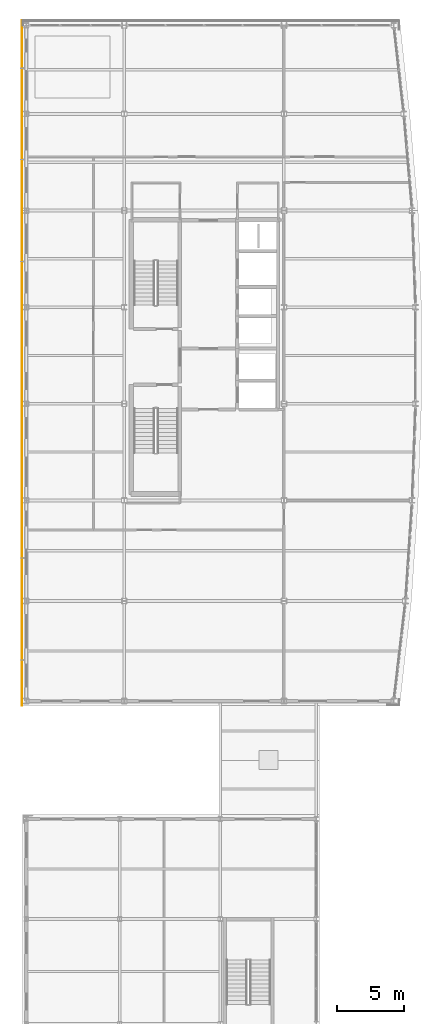
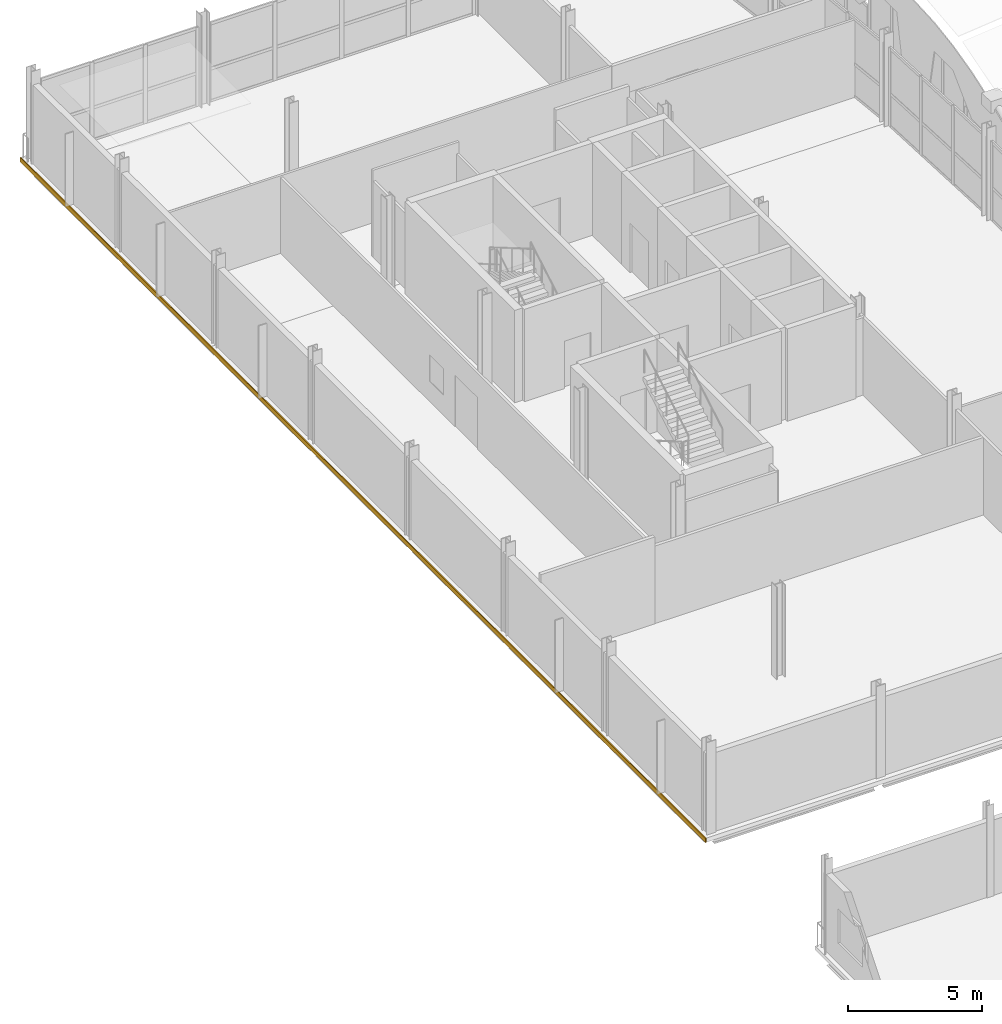
# One storey, part 60 of 65: 1 covering.
"""IFC4 building model written with IfcOpenShell, lengths in metres."""

from ifc_helpers import new_model, si_unit, direction, frame, origin, place, context, subcontext, project, spatial, polyline, outline, extrude, material, layer, layer_set, type_object, element, save


model = new_model("IFC4")

# Units and contexts
model_context = context("Model", 3, precision=1e-05, world=origin(), true_north=direction((0.0, 1.0)))
body_context = subcontext(model_context, "Body", "Model", "MODEL_VIEW")
ifc_project = project(units=[si_unit("LENGTHUNIT", "METRE"), si_unit("AREAUNIT", "SQUARE_METRE"), si_unit("VOLUMEUNIT", "CUBIC_METRE"), si_unit("PLANEANGLEUNIT", "RADIAN"), si_unit("MASSUNIT", "GRAM", prefix="KILO")], contexts=[model_context])

# Site, building, storey
site_placement = place(None, origin())
site = spatial("IfcSite", under=ifc_project, at=site_placement, CompositionType="ELEMENT")
building_placement = place(site_placement, origin())
building = spatial("IfcBuilding", under=site, at=building_placement, Name="Quillay Park Conservatory", CompositionType="ELEMENT")
storey_placement = place(building_placement, frame((0.0, 0.0, 14.10009765625)))
storey = spatial("IfcBuildingStorey", under=building, at=storey_placement, Name="L03", CompositionType="ELEMENT", Elevation=14.10009765625)

# Covering
ifc_material = material(Name="Glass-Fibre Reinforced Concrete (GRC) Cladding", Category="concrete")
ifc_layer = layer(ifc_material, 0.044921875)
ifc_layer_set = layer_set([ifc_layer], Name="GRC SPANDREL CLADDING 45 (Glass-Fibre Reinforced Concrete (GRC) Cladding)")
covering_type = type_object("IfcCoveringType", Name="GRC SPANDREL CLADDING 45", PredefinedType="CLADDING", material=ifc_layer_set)
covering_placement = place(storey_placement, frame((0.0, 0.0, -0.2001953125)))
element("IfcCovering", 1, at=covering_placement, inside=storey, type_object=covering_type, Name="L03 West Folded GRC Spandrel Ribbon", PredefinedType="CLADDING", context=body_context, shape_type="SweptSolid", body=[
    extrude(outline(polyline([(0.205078125, 62.699951171875), (0.25, 62.699951171875), (0.25, 113.800048828125), (0.205078125, 113.800048828125), (0.205078125, 62.699951171875)])), origin(), (0.0, 0.0, 1.0), 0.2001953125),
])

save(model, "model.ifc")
